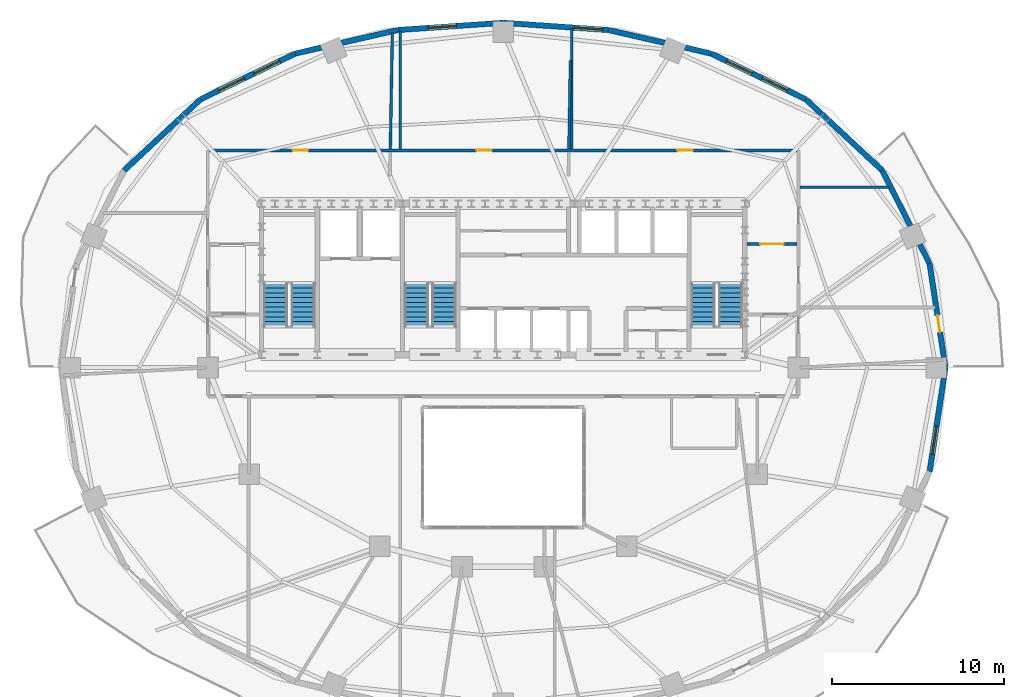
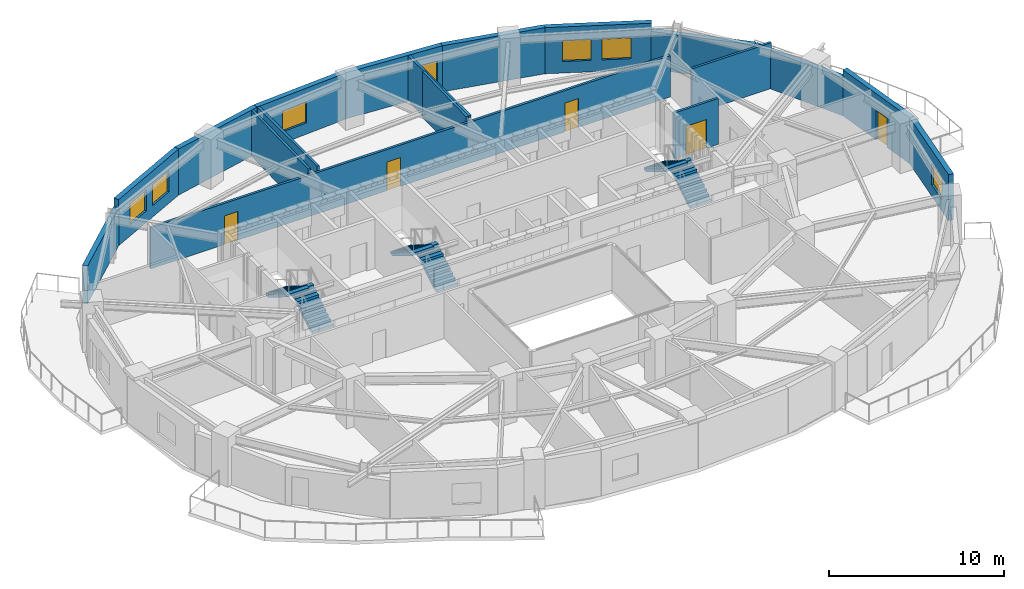
# One storey, part 8 of 11: 18 walls, 7 windows, 6 stair flights, 5 doors, 12 openings, 3 elements without a shape of their own.
"""IFC4 building model written with IfcOpenShell, lengths in metres."""

import ifcopenshell
import ifcopenshell.guid

model = None  # the IFC model being written
_history = None  # IfcOwnerHistory: only IFC2X3 demands one
_inside = {}  # id of a spatial element -> (the spatial element, [elements in it])
_under = {}  # id of a project, library or spatial element -> (it, [spatial elements below it])
_declared = {}  # id of a project -> (the project, [libraries it declares])
_typed = {}  # id of a type object -> (the type object, [elements of that type])
_made_of = {}  # id of a material, layer set ... -> (it, [elements and type objects made of it])


def new_model(schema):
    """Start an empty IFC model of exactly this schema.

    Asked for "IFC4X3", IfcOpenShell would pick the latest addendum, in which some entities
    have other attributes; the version numbers below select the first issue.
    IFC2X3 requires an IfcOwnerHistory on every rooted entity: one is made here for all.
    """
    global model, _history
    if schema == "IFC4X3":
        model = ifcopenshell.file(schema_version=(4, 3, 0, 0))
    else:
        model = ifcopenshell.file(schema=schema)
    _inside.clear()
    _under.clear()
    _declared.clear()
    _typed.clear()
    _made_of.clear()
    _history = None
    if model.schema == "IFC2X3":
        org = make("IfcOrganization", Name="unknown")
        user = make(
            "IfcPersonAndOrganization",
            ThePerson=make("IfcPerson", FamilyName="unknown"),
            TheOrganization=org,
        )
        app = make(
            "IfcApplication",
            ApplicationDeveloper=org,
            Version="unknown",
            ApplicationFullName="unknown",
            ApplicationIdentifier="unknown",
        )
        _history = make(
            "IfcOwnerHistory",
            OwningUser=user,
            OwningApplication=app,
            ChangeAction="ADDED",
            CreationDate=0,
        )
    return model


def make(cls, **values):
    """One entity of the class cls with the attributes given. An attribute that is None is left unset."""
    return model.create_entity(
        cls, **{name: value for name, value in values.items() if value is not None}
    )


def rooted(cls, **values):
    """An entity with a GlobalId (a new one), such as an element, a storey or a relation."""
    return make(cls, GlobalId=ifcopenshell.guid.new(), OwnerHistory=_history, **values)


def si_unit(unit_type, name, prefix=None):
    """IfcSIUnit, for example si_unit("LENGTHUNIT", "METRE", prefix="MILLI")."""
    return make("IfcSIUnit", UnitType=unit_type, Prefix=prefix, Name=name)


def assignment(units):
    """IfcUnitAssignment: the units of a project."""
    return None if units is None else make("IfcUnitAssignment", Units=units)


def point(xyz):
    """IfcCartesianPoint."""
    return None if xyz is None else make("IfcCartesianPoint", Coordinates=xyz)


def direction(xyz):
    """IfcDirection."""
    return None if xyz is None else make("IfcDirection", DirectionRatios=xyz)


def frame(location, z_axis=None, x_axis=None):
    """IfcAxis2Placement3D, a coordinate frame: its origin and axes. An axis left out is left unset."""
    return make(
        "IfcAxis2Placement3D",
        Location=point(location),
        Axis=direction(z_axis),
        RefDirection=direction(x_axis),
    )


def frame_2d(location, x_axis=None):
    """IfcAxis2Placement2D, a coordinate frame in the plane: its origin and x axis."""
    return make(
        "IfcAxis2Placement2D", Location=point(location), RefDirection=direction(x_axis)
    )


def origin():
    """The frame at (0, 0, 0) with its axes left unset."""
    return frame((0.0, 0.0, 0.0))


def place(relative_to, where):
    """IfcLocalPlacement: puts the frame where relative to a parent placement (None: the world)."""
    return make(
        "IfcLocalPlacement", PlacementRelTo=relative_to, RelativePlacement=where
    )


def context(
    kind, dimensions, precision=None, world=None, true_north=None, identifier=None
):
    """IfcGeometricRepresentationContext, for example the 3D "Model" context."""
    return make(
        "IfcGeometricRepresentationContext",
        ContextIdentifier=identifier,
        ContextType=kind,
        CoordinateSpaceDimension=dimensions,
        Precision=precision,
        WorldCoordinateSystem=world,
        TrueNorth=true_north,
    )


def subcontext(parent, identifier, kind, view, scale=None):
    """IfcGeometricRepresentationSubContext, for example "Body" below "Model"."""
    return make(
        "IfcGeometricRepresentationSubContext",
        ContextIdentifier=identifier,
        ContextType=kind,
        ParentContext=parent,
        TargetScale=scale,
        TargetView=view,
    )


def project(units=None, contexts=None):
    """IfcProject with its units and contexts."""
    return rooted(
        "IfcProject",
        Name="project",
        RepresentationContexts=contexts,
        UnitsInContext=assignment(units),
    )


def spatial(cls, under=None, at=None, **own):
    """A site, building, storey or space (cls), placed at a placement, below another one or the project."""
    s = rooted(cls, ObjectPlacement=at, **own)
    if under is not None:
        _under.setdefault(under.id(), (under, []))[1].append(s)
    return s


def polyline(points):
    """IfcPolyline through the points."""
    return make("IfcPolyline", Points=[point(p) for p in points])


def profile(cls, at=None, kind="AREA", **sizes):
    """A parametric profile (cls). Its sizes go by their IFC names, for example OverallWidth=200.0."""
    return make(cls, ProfileType=kind, Position=at, **sizes)


def rectangle(**sizes):
    """IfcRectangleProfileDef."""
    return profile("IfcRectangleProfileDef", **sizes)


def outline(outer, holes=None, kind="AREA"):
    """IfcArbitraryClosedProfileDef: a profile drawn as a closed curve; with holes, ...WithVoids."""
    if holes is None:
        return make("IfcArbitraryClosedProfileDef", ProfileType=kind, OuterCurve=outer)
    return make(
        "IfcArbitraryProfileDefWithVoids",
        ProfileType=kind,
        OuterCurve=outer,
        InnerCurves=holes,
    )


def extrude(swept, where, along, depth):
    """IfcExtrudedAreaSolid: the profile swept, set in the frame where, extruded along a direction by depth."""
    return make(
        "IfcExtrudedAreaSolid",
        SweptArea=swept,
        Position=where,
        ExtrudedDirection=direction(along),
        Depth=depth,
    )


def shape(context_of_items, identifier, shape_type, items):
    """IfcShapeRepresentation: the items that make up one representation, for example the "Body"."""
    return make(
        "IfcShapeRepresentation",
        ContextOfItems=context_of_items,
        RepresentationIdentifier=identifier,
        RepresentationType=shape_type,
        Items=items,
    )


def material(Name=None, Category=None):
    """IfcMaterial."""
    return make("IfcMaterial", Name=Name, Category=Category)


def layer(
    of_material, thickness, ventilated=None, Name=None, Category=None, Priority=None
):
    """IfcMaterialLayer: one layer of a wall or slab, of a material (None: an air gap)."""
    return make(
        "IfcMaterialLayer",
        Material=of_material,
        LayerThickness=thickness,
        IsVentilated=ventilated,
        Name=Name,
        Category=Category,
        Priority=Priority,
    )


def layer_set(layers, Name=None):
    """IfcMaterialLayerSet."""
    return make("IfcMaterialLayerSet", MaterialLayers=layers, LayerSetName=Name)


def made_of(thing, what):
    """Note that an element or type object is made of a material, layer set ...; save() writes the relation."""
    if what is not None:
        _made_of.setdefault(what.id(), (what, []))[1].append(thing)
    return thing


def type_object(cls, material=None, **own):
    """A type object (cls), such as IfcWallType, which elements share."""
    return made_of(rooted(cls, **own), material)


def element(
    cls,
    number,
    at=None,
    inside=None,
    cuts=None,
    type_object=None,
    material=None,
    context=None,
    identifier="Body",
    shape_type=None,
    held_by="IfcProductDefinitionShape",
    body=None,
    shapes=None,
    **own,
):
    """One element of the class cls, such as IfcWall. Its Tag is "e" and its number.

    at: its placement. inside: the storey or other place that contains it. cuts: it is an
    opening in that element (IfcRelVoidsElement). A single representation is given by context,
    identifier, shape_type and body (its items); several are given by shapes. held_by: the class
    of the entity that holds the representations. save() writes the other relations.
    """
    e = rooted(cls, Tag="e%d" % number, ObjectPlacement=at, **own)
    if body is not None:
        shapes = [shape(context, identifier, shape_type, body)]
    if shapes is not None:
        e.Representation = make(held_by, Representations=shapes)
    if inside is not None:
        _inside.setdefault(inside.id(), (inside, []))[1].append(e)
    if cuts is not None:
        rooted(
            "IfcRelVoidsElement", RelatingBuildingElement=cuts, RelatedOpeningElement=e
        )
    if type_object is not None:
        _typed.setdefault(type_object.id(), (type_object, []))[1].append(e)
    return made_of(e, material)


def fill(opening, filler):
    """IfcRelFillsElement: the door or window that sits in an opening."""
    return rooted(
        "IfcRelFillsElement",
        RelatingOpeningElement=opening,
        RelatedBuildingElement=filler,
    )


def aggregate(whole, parts):
    """IfcRelAggregates: a whole, such as a stair, and the parts it consists of."""
    return rooted("IfcRelAggregates", RelatingObject=whole, RelatedObjects=parts)


def save(model, path):
    """Write the relations noted so far, then the file.

    IfcRelAggregates (storeys below a building ...), IfcRelContainedInSpatialStructure (elements
    in a storey), IfcRelDefinesByType, IfcRelAssociatesMaterial and IfcRelDeclares: one each for
    every whole, place, type object, material and project.
    """
    for whole, parts in _under.values():
        aggregate(whole, parts)
    for where, things in _inside.values():
        rooted(
            "IfcRelContainedInSpatialStructure",
            RelatedElements=things,
            RelatingStructure=where,
        )
    for kind, things in _typed.values():
        rooted("IfcRelDefinesByType", RelatedObjects=things, RelatingType=kind)
    for what, things in _made_of.values():
        rooted("IfcRelAssociatesMaterial", RelatedObjects=things, RelatingMaterial=what)
    for by, libraries in _declared.values():
        rooted("IfcRelDeclares", RelatingContext=by, RelatedDefinitions=libraries)
    model.write(path)


model = new_model("IFC4")

# Units and contexts
model_context = context("Model", 3, precision=1e-05, world=origin(), true_north=direction((0.0, 1.0)))
body_context = subcontext(model_context, "Body", "Model", "MODEL_VIEW")
ifc_project = project(units=[si_unit("LENGTHUNIT", "METRE"), si_unit("AREAUNIT", "SQUARE_METRE"), si_unit("VOLUMEUNIT", "CUBIC_METRE"), si_unit("PLANEANGLEUNIT", "RADIAN"), si_unit("MASSUNIT", "GRAM", prefix="KILO")], contexts=[model_context])

# Site, building, storey
site_placement = place(None, origin())
site = spatial("IfcSite", under=ifc_project, at=site_placement, CompositionType="ELEMENT")
building_placement = place(site_placement, origin())
building = spatial("IfcBuilding", under=site, at=building_placement, Name="Haldorwick Loom Tower", CompositionType="ELEMENT")
storey_placement = place(building_placement, frame((0.0, 0.0, 171.699951171875)))
storey = spatial("IfcBuildingStorey", under=building, at=storey_placement, Name="L46", CompositionType="ELEMENT", Elevation=171.699951171875)

# Wall, opening, door
ifc_material_1 = material(Name="Pressed Clay Face Brick and Insulated Masonry Backup Assembly", Category="masonry")
ifc_layer_1 = layer(ifc_material_1, 0.320068359375, Name="Pressed Clay Face Brick and Insulated Masonry Backup Assembly", Category="masonry")
ifc_layer_set_1 = layer_set([ifc_layer_1], Name="Pressed Clay Face Brick and Insulated Masonry Backup Assembly")
wall_type_1 = type_object("IfcWallType", Name="ARC-WL-EXT320", PredefinedType="STANDARD", material=ifc_layer_set_1)
wall_1_placement = place(storey_placement, frame((61.757080078125, 26.0, 0.0), z_axis=(0.0, 0.0, 1.0), x_axis=(-0.150544467684, 0.988603238539, 0.0)))
wall_1 = element("IfcWall", 1, at=wall_1_placement, inside=storey, type_object=wall_type_1, Name="L46 Brick Pier and Spandrel Wall 1", PredefinedType="STANDARD", context=body_context, shape_type="SweptSolid", body=[
    extrude(rectangle(XDim=6.125244140625, YDim=0.320068359375, at=frame_2d((3.0625, 0.0))), origin(), (0.0, 0.0, 1.0), 3.2099609375),
])
opening_1_placement = place(wall_1_placement, frame((2.08203125, 0.0, 0.0)))
opening_1 = element("IfcOpeningElement", 2, at=opening_1_placement, cuts=wall_1, Name="Opening D-BL10", PredefinedType="OPENING", context=body_context, shape_type="SweptSolid", body=[
    extrude(rectangle(XDim=1.0, YDim=2.0400390625, at=frame_2d((0.5, 1.02001953125))), frame((0.0, 0.169921875, 0.0), z_axis=(0.0, -1.0, 0.0), x_axis=(1.0, 0.0, 0.0)), (0.0, 0.0, 1.0), 0.340087890625),
])
ifc_material_2 = material(Name="Thermally Broken Anodized Aluminium Curtain Wall Framing", Category="aluminium")
door_type_1 = type_object("IfcDoorType", Name="ARC-DR-BAL100", OperationType="NOTDEFINED", PredefinedType="DOOR", material=ifc_material_2)
door_1_placement = place(opening_1_placement, origin())
door_1 = element("IfcDoor", 3, at=door_1_placement, inside=storey, type_object=door_type_1, Name="L46 Outdoor Terrace Door SLB-L46-BAL_ENE", OperationType="SINGLE_SWING_RIGHT", OverallHeight=2.0400390625, OverallWidth=1.0, PredefinedType="DOOR", context=body_context, shape_type="SweptSolid", body=[
    extrude(rectangle(XDim=1.0, YDim=2.0400390625, at=frame_2d((0.5, 1.02001953125))), frame((0.0, 0.02490234375, 0.0), z_axis=(0.0, -1.0, 0.0), x_axis=(1.0, 0.0, 0.0)), (0.0, 0.0, 1.0), 0.050048828125),
])
fill(opening_1, door_1)

# Walls
wall_2_placement = place(storey_placement, frame((60.8349609375, 32.055419921875, 0.0), z_axis=(0.0, 0.0, 1.0), x_axis=(-0.453172129629, 0.89142303141, 0.0)))
element("IfcWall", 4, at=wall_2_placement, inside=storey, type_object=wall_type_1, Name="L46 Brick Pier and Spandrel Wall 2", PredefinedType="STANDARD", context=body_context, shape_type="SweptSolid", body=[
    extrude(rectangle(XDim=6.086669921875, YDim=0.320068359375, at=frame_2d((3.04345703125, 0.0))), origin(), (0.0, 0.0, 1.0), 2.64111328125),
])
wall_3_placement = place(storey_placement, frame((58.07666015625, 37.481201171875, 0.0), z_axis=(0.0, 0.0, 1.0), x_axis=(-0.732001571644, 0.681302942244, 0.0)))
element("IfcWall", 5, at=wall_3_placement, inside=storey, type_object=wall_type_1, Name="L46 Brick Pier and Spandrel Wall 3", PredefinedType="STANDARD", context=body_context, shape_type="SweptSolid", body=[
    extrude(rectangle(XDim=6.0869140625, YDim=0.320068359375, at=frame_2d((3.04345703125, 0.0))), origin(), (0.0, 0.0, 1.0), 2.64111328125),
])

# Wall, openings, windows
wall_4_placement = place(storey_placement, frame((53.62109375, 41.628173828125, 0.0), z_axis=(0.0, 0.0, 1.0), x_axis=(-0.900472429216, 0.43491309962, 0.0)))
wall_4 = element("IfcWall", 6, at=wall_4_placement, inside=storey, type_object=wall_type_1, Name="L46 Brick Pier and Spandrel Wall 4", PredefinedType="STANDARD", context=body_context, shape_type="SweptSolid", body=[
    extrude(rectangle(XDim=6.1181640625, YDim=0.320068359375, at=frame_2d((3.05908203125, 0.0))), origin(), (0.0, 0.0, 1.0), 3.2099609375),
])
opening_2_placement = place(wall_4_placement, frame((1.181884765625, 0.0, 0.800048828125)))
opening_2 = element("IfcOpeningElement", 7, at=opening_2_placement, cuts=wall_4, Name="Opening W-01B", PredefinedType="OPENING", context=body_context, shape_type="SweptSolid", body=[
    extrude(rectangle(XDim=1.64990234375, YDim=1.449951171875, at=frame_2d((0.824951171875, 0.72509765625))), frame((0.0, 0.169921875, 0.0), z_axis=(0.0, -1.0, 0.0), x_axis=(1.0, 0.0, 0.0)), (0.0, 0.0, 1.0), 0.340087890625),
])
opening_3_placement = place(wall_4_placement, frame((3.4580078125, 0.0, 0.800048828125)))
opening_3 = element("IfcOpeningElement", 8, at=opening_3_placement, cuts=wall_4, Name="Opening W-01B", PredefinedType="OPENING", context=body_context, shape_type="SweptSolid", body=[
    extrude(rectangle(XDim=1.64990234375, YDim=1.449951171875, at=frame_2d((0.824951171875, 0.72509765625))), frame((0.0, 0.169921875, 0.0), z_axis=(0.0, -1.0, 0.0), x_axis=(1.0, 0.0, 0.0)), (0.0, 0.0, 1.0), 0.340087890625),
])
ifc_material_3 = material(Name="Triple-Glazed Low-E Argon Insulated Glazing Unit", Category="glass")
window_type = type_object("IfcWindowType", Name="ARC-WIN-W165", PartitioningType="SINGLE_PANEL", PredefinedType="WINDOW", material=ifc_material_3)
window_1_placement = place(opening_2_placement, origin())
window_1 = element("IfcWindow", 9, at=window_1_placement, inside=storey, type_object=window_type, Name="L46 Deep-Set Zone 7A Window 4", OverallHeight=1.449951171875, OverallWidth=1.64990234375, PartitioningType="SINGLE_PANEL", PredefinedType="WINDOW", context=body_context, shape_type="SweptSolid", body=[
    extrude(rectangle(XDim=1.64990234375, YDim=1.449951171875, at=frame_2d((0.824951171875, 0.72509765625))), frame((0.0, 0.030029296875, 0.0), z_axis=(0.0, -1.0, 0.0), x_axis=(1.0, 0.0, 0.0)), (0.0, 0.0, 1.0), 0.06005859375),
])
fill(opening_2, window_1)
window_2_placement = place(opening_3_placement, origin())
window_2 = element("IfcWindow", 10, at=window_2_placement, inside=storey, type_object=window_type, Name="L46 Deep-Set Zone 7A Window 4", OverallHeight=1.449951171875, OverallWidth=1.64990234375, PartitioningType="SINGLE_PANEL", PredefinedType="WINDOW", context=body_context, shape_type="SweptSolid", body=[
    extrude(rectangle(XDim=1.64990234375, YDim=1.449951171875, at=frame_2d((0.824951171875, 0.72509765625))), frame((0.0, 0.030029296875, 0.0), z_axis=(0.0, -1.0, 0.0), x_axis=(1.0, 0.0, 0.0)), (0.0, 0.0, 1.0), 0.06005859375),
])
fill(opening_3, window_2)

# Wall
wall_5_placement = place(storey_placement, frame((48.11181640625, 44.2890625, 0.0), z_axis=(0.0, 0.0, 1.0), x_axis=(-0.974593223547, 0.223982250674, 0.0)))
element("IfcWall", 11, at=wall_5_placement, inside=storey, type_object=wall_type_1, Name="L46 Brick Pier and Spandrel Wall 5", PredefinedType="STANDARD", context=body_context, shape_type="SweptSolid", body=[
    extrude(rectangle(XDim=6.138916015625, YDim=0.320068359375, at=frame_2d((3.0693359375, 0.0))), origin(), (0.0, 0.0, 1.0), 3.2099609375),
])

# Wall, opening, window
wall_6_placement = place(storey_placement, frame((42.12890625, 45.6640625, 0.0), z_axis=(0.0, 0.0, 1.0), x_axis=(-0.997652942988, 0.068473391522, 0.0)))
wall_6 = element("IfcWall", 12, at=wall_6_placement, inside=storey, type_object=wall_type_1, Name="L46 Brick Pier and Spandrel Wall 6", PredefinedType="STANDARD", context=body_context, shape_type="SweptSolid", body=[
    extrude(rectangle(XDim=6.143310546875, YDim=0.320068359375, at=frame_2d((3.07177734375, 0.0))), origin(), (0.0, 0.0, 1.0), 3.2099609375),
])
opening_4_placement = place(wall_6_placement, frame((0.340087890625, 0.0, 0.800048828125)))
opening_4 = element("IfcOpeningElement", 13, at=opening_4_placement, cuts=wall_6, Name="Opening W-01B", PredefinedType="OPENING", context=body_context, shape_type="SweptSolid", body=[
    extrude(rectangle(XDim=1.64990234375, YDim=1.449951171875, at=frame_2d((0.824951171875, 0.72509765625))), frame((0.0, 0.169921875, 0.0), z_axis=(0.0, -1.0, 0.0), x_axis=(1.0, 0.0, 0.0)), (0.0, 0.0, 1.0), 0.340087890625),
])
window_3_placement = place(opening_4_placement, origin())
window_3 = element("IfcWindow", 14, at=window_3_placement, inside=storey, type_object=window_type, Name="L46 Deep-Set Zone 7A Window 6", OverallHeight=1.449951171875, OverallWidth=1.64990234375, PartitioningType="SINGLE_PANEL", PredefinedType="WINDOW", context=body_context, shape_type="SweptSolid", body=[
    extrude(rectangle(XDim=1.64990234375, YDim=1.449951171875, at=frame_2d((0.824951171875, 0.72509765625))), frame((0.0, 0.030029296875, 0.0), z_axis=(0.0, -1.0, 0.0), x_axis=(1.0, 0.0, 0.0)), (0.0, 0.0, 1.0), 0.06005859375),
])
fill(opening_4, window_3)

wall_7_placement = place(storey_placement, frame((36.0, 46.084716796875, 0.0), z_axis=(0.0, 0.0, 1.0), x_axis=(-0.997652942988, -0.068473391522, 0.0)))
wall_7 = element("IfcWall", 15, at=wall_7_placement, inside=storey, type_object=wall_type_1, Name="L46 Brick Pier and Spandrel Wall 7", PredefinedType="STANDARD", context=body_context, shape_type="SweptSolid", body=[
    extrude(rectangle(XDim=6.143310546875, YDim=0.320068359375, at=frame_2d((3.07177734375, 0.0))), origin(), (0.0, 0.0, 1.0), 3.2099609375),
])
opening_5_placement = place(wall_7_placement, frame((2.723388671875, 0.0, 0.800048828125)))
opening_5 = element("IfcOpeningElement", 16, at=opening_5_placement, cuts=wall_7, Name="Opening W-01B", PredefinedType="OPENING", context=body_context, shape_type="SweptSolid", body=[
    extrude(rectangle(XDim=1.64990234375, YDim=1.449951171875, at=frame_2d((0.824951171875, 0.72509765625))), frame((0.0, 0.169921875, 0.0), z_axis=(0.0, -1.0, 0.0), x_axis=(1.0, 0.0, 0.0)), (0.0, 0.0, 1.0), 0.340087890625),
])
window_4_placement = place(opening_5_placement, origin())
window_4 = element("IfcWindow", 17, at=window_4_placement, inside=storey, type_object=window_type, Name="L46 Deep-Set Zone 7A Window 7", OverallHeight=1.449951171875, OverallWidth=1.64990234375, PartitioningType="SINGLE_PANEL", PredefinedType="WINDOW", context=body_context, shape_type="SweptSolid", body=[
    extrude(rectangle(XDim=1.64990234375, YDim=1.449951171875, at=frame_2d((0.824951171875, 0.72509765625))), frame((0.0, 0.030029296875, 0.0), z_axis=(0.0, -1.0, 0.0), x_axis=(1.0, 0.0, 0.0)), (0.0, 0.0, 1.0), 0.06005859375),
])
fill(opening_5, window_4)

# Wall
wall_8_placement = place(storey_placement, frame((29.87109375, 45.6640625, 0.0), z_axis=(0.0, 0.0, 1.0), x_axis=(-0.974593223547, -0.223982250674, 0.0)))
element("IfcWall", 18, at=wall_8_placement, inside=storey, type_object=wall_type_1, Name="L46 Brick Pier and Spandrel Wall 8", PredefinedType="STANDARD", context=body_context, shape_type="SweptSolid", body=[
    extrude(rectangle(XDim=6.138916015625, YDim=0.320068359375, at=frame_2d((3.0693359375, 0.0))), origin(), (0.0, 0.0, 1.0), 3.2099609375),
])

# Wall, openings, windows
wall_9_placement = place(storey_placement, frame((23.88818359375, 44.2890625, 0.0), z_axis=(0.0, 0.0, 1.0), x_axis=(-0.900479976617, -0.434897472644, 0.0)))
wall_9 = element("IfcWall", 19, at=wall_9_placement, inside=storey, type_object=wall_type_1, Name="L46 Brick Pier and Spandrel Wall 9", PredefinedType="STANDARD", context=body_context, shape_type="SweptSolid", body=[
    extrude(rectangle(XDim=6.118408203125, YDim=0.320068359375, at=frame_2d((3.05908203125, 0.0))), origin(), (0.0, 0.0, 1.0), 3.2099609375),
])
opening_6_placement = place(wall_9_placement, frame((1.010498046875, 0.0, 0.800048828125)))
opening_6 = element("IfcOpeningElement", 20, at=opening_6_placement, cuts=wall_9, Name="Opening W-01B", PredefinedType="OPENING", context=body_context, shape_type="SweptSolid", body=[
    extrude(rectangle(XDim=1.64990234375, YDim=1.449951171875, at=frame_2d((0.824951171875, 0.72509765625))), frame((0.0, 0.169921875, 0.0), z_axis=(0.0, -1.0, 0.0), x_axis=(1.0, 0.0, 0.0)), (0.0, 0.0, 1.0), 0.340087890625),
])
opening_7_placement = place(wall_9_placement, frame((3.28662109375, 0.0, 0.800048828125)))
opening_7 = element("IfcOpeningElement", 21, at=opening_7_placement, cuts=wall_9, Name="Opening W-01B", PredefinedType="OPENING", context=body_context, shape_type="SweptSolid", body=[
    extrude(rectangle(XDim=1.64990234375, YDim=1.449951171875, at=frame_2d((0.824951171875, 0.72509765625))), frame((0.0, 0.169921875, 0.0), z_axis=(0.0, -1.0, 0.0), x_axis=(1.0, 0.0, 0.0)), (0.0, 0.0, 1.0), 0.340087890625),
])
window_5_placement = place(opening_6_placement, origin())
window_5 = element("IfcWindow", 22, at=window_5_placement, inside=storey, type_object=window_type, Name="L46 Deep-Set Zone 7A Window 9", OverallHeight=1.449951171875, OverallWidth=1.64990234375, PartitioningType="SINGLE_PANEL", PredefinedType="WINDOW", context=body_context, shape_type="SweptSolid", body=[
    extrude(rectangle(XDim=1.64990234375, YDim=1.449951171875, at=frame_2d((0.824951171875, 0.72509765625))), frame((0.0, 0.030029296875, 0.0), z_axis=(0.0, -1.0, 0.0), x_axis=(1.0, 0.0, 0.0)), (0.0, 0.0, 1.0), 0.06005859375),
])
fill(opening_6, window_5)
window_6_placement = place(opening_7_placement, origin())
window_6 = element("IfcWindow", 23, at=window_6_placement, inside=storey, type_object=window_type, Name="L46 Deep-Set Zone 7A Window 9", OverallHeight=1.449951171875, OverallWidth=1.64990234375, PartitioningType="SINGLE_PANEL", PredefinedType="WINDOW", context=body_context, shape_type="SweptSolid", body=[
    extrude(rectangle(XDim=1.64990234375, YDim=1.449951171875, at=frame_2d((0.824951171875, 0.72509765625))), frame((0.0, 0.030029296875, 0.0), z_axis=(0.0, -1.0, 0.0), x_axis=(1.0, 0.0, 0.0)), (0.0, 0.0, 1.0), 0.06005859375),
])
fill(opening_7, window_6)

# Wall
wall_10_placement = place(storey_placement, frame((18.378662109375, 41.628173828125, 0.0), z_axis=(0.0, 0.0, 1.0), x_axis=(-0.731982952968, -0.681322945866, 0.0)))
element("IfcWall", 24, at=wall_10_placement, inside=storey, type_object=wall_type_1, Name="L46 Brick Pier and Spandrel Wall 10", PredefinedType="STANDARD", context=body_context, shape_type="SweptSolid", body=[
    extrude(rectangle(XDim=6.086669921875, YDim=0.320068359375, at=frame_2d((3.04345703125, 0.0))), origin(), (0.0, 0.0, 1.0), 2.64111328125),
])

# Wall, opening, window
wall_11_placement = place(storey_placement, frame((60.8349609375, 19.944580078125, 0.0), z_axis=(0.0, 0.0, 1.0), x_axis=(0.150544467684, 0.988603238539, 0.0)))
wall_11 = element("IfcWall", 25, at=wall_11_placement, inside=storey, type_object=wall_type_1, Name="L46 Brick Pier and Spandrel Wall 24", PredefinedType="STANDARD", context=body_context, shape_type="SweptSolid", body=[
    extrude(rectangle(XDim=6.125244140625, YDim=0.320068359375, at=frame_2d((3.0625, 0.0))), origin(), (0.0, 0.0, 1.0), 3.2099609375),
])
opening_8_placement = place(wall_11_placement, frame((1.0126953125, 0.0, 0.800048828125)))
opening_8 = element("IfcOpeningElement", 26, at=opening_8_placement, cuts=wall_11, Name="Opening W-01B", PredefinedType="OPENING", context=body_context, shape_type="SweptSolid", body=[
    extrude(rectangle(XDim=1.64990234375, YDim=1.449951171875, at=frame_2d((0.824951171875, 0.72509765625))), frame((0.0, 0.169921875, 0.0), z_axis=(0.0, -1.0, 0.0), x_axis=(1.0, 0.0, 0.0)), (0.0, 0.0, 1.0), 0.340087890625),
])
window_7_placement = place(opening_8_placement, origin())
window_7 = element("IfcWindow", 27, at=window_7_placement, inside=storey, type_object=window_type, Name="L46 Deep-Set Zone 7A Window 24", OverallHeight=1.449951171875, OverallWidth=1.64990234375, PartitioningType="SINGLE_PANEL", PredefinedType="WINDOW", context=body_context, shape_type="SweptSolid", body=[
    extrude(rectangle(XDim=1.64990234375, YDim=1.449951171875, at=frame_2d((0.824951171875, 0.72509765625))), frame((0.0, 0.030029296875, 0.0), z_axis=(0.0, -1.0, 0.0), x_axis=(1.0, 0.0, 0.0)), (0.0, 0.0, 1.0), 0.06005859375),
])
fill(opening_8, window_7)

# Wall, opening, door
ifc_material_4 = material(Name="Fire-Rated Type X Gypsum Stud Assembly EI 60")
ifc_layer_2 = layer(ifc_material_4, 0.159912109375, Name="Fire-Rated Type X Gypsum Stud Assembly EI 60")
ifc_layer_set_2 = layer_set([ifc_layer_2], Name="Fire-Rated Type X Gypsum Stud Assembly EI 60")
wall_type_2 = type_object("IfcWallType", Name="ARC-WL-FIRE160", PredefinedType="PARTITIONING", material=ifc_layer_set_2)
wall_12_placement = place(storey_placement, frame((50.193115234375, 33.199951171875, 0.0), z_axis=(0.0, 0.0, 1.0), x_axis=(1.0, 0.0, 0.0)))
wall_12 = element("IfcWall", 28, at=wall_12_placement, inside=storey, type_object=wall_type_2, Name="L46 Residential Fire Partition L46-CR-ENJ", PredefinedType="PARTITIONING", context=body_context, shape_type="SweptSolid", body=[
    extrude(rectangle(XDim=2.923828125, YDim=0.159912109375, at=frame_2d((1.4619140625, 0.0))), origin(), (0.0, 0.0, 1.0), 3.195068359375),
])
opening_9_placement = place(wall_12_placement, frame((0.787109375, 0.0, 0.0)))
opening_9 = element("IfcOpeningElement", 29, at=opening_9_placement, cuts=wall_12, Name="Opening D-CR15", PredefinedType="OPENING", context=body_context, shape_type="SweptSolid", body=[
    extrude(rectangle(XDim=1.35009765625, YDim=2.0, at=frame_2d((0.675048828125, 1.0))), frame((0.0, 0.08984375, 0.0), z_axis=(0.0, -1.0, 0.0), x_axis=(1.0, 0.0, 0.0)), (0.0, 0.0, 1.0), 0.179931640625),
])
ifc_material_5 = material(Name="Thermally Broken Anodized Aluminium and Tempered Glass", Category="aluminium")
door_type_2 = type_object("IfcDoorType", Name="ARC-DR-COR150", OperationType="NOTDEFINED", PredefinedType="DOOR", material=ifc_material_5)
door_2_placement = place(opening_9_placement, origin())
door_2 = element("IfcDoor", 30, at=door_2_placement, inside=storey, type_object=door_type_2, Name="L46 L46 North Residential Corridor to L46 East Residential Corridor Door", OperationType="DOUBLE_DOOR_SINGLE_SWING", OverallHeight=2.0, OverallWidth=1.35009765625, PredefinedType="DOOR", context=body_context, shape_type="SweptSolid", body=[
    extrude(rectangle(XDim=1.35009765625, YDim=2.0, at=frame_2d((0.675048828125, 1.0))), frame((0.0, 0.02490234375, 0.0), z_axis=(0.0, -1.0, 0.0), x_axis=(1.0, 0.0, 0.0)), (0.0, 0.0, 1.0), 0.050048828125),
])
fill(opening_9, door_2)

# Wall, openings, doors
wall_13_placement = place(storey_placement, frame((18.883056640625, 38.64990234375, 0.0), z_axis=(0.0, 0.0, 1.0), x_axis=(1.0, 0.0, 0.0)))
wall_13 = element("IfcWall", 31, at=wall_13_placement, inside=storey, type_object=wall_type_2, Name="L46 Residential Fire Partition L46-CR-N0", PredefinedType="PARTITIONING", context=body_context, shape_type="SweptSolid", body=[
    extrude(rectangle(XDim=34.23388671875, YDim=0.159912109375, at=frame_2d((17.116943359375, 0.0))), origin(), (0.0, 0.0, 1.0), 2.8720703125),
])
opening_10_placement = place(wall_13_placement, frame((27.2685546875, 0.0, 0.0)))
opening_10 = element("IfcOpeningElement", 32, at=opening_10_placement, cuts=wall_13, Name="Opening D-FD60A", PredefinedType="OPENING", context=body_context, shape_type="SweptSolid", body=[
    extrude(rectangle(XDim=0.89990234375, YDim=2.0, at=frame_2d((0.449951171875, 1.0))), frame((0.0, 0.08984375, 0.0), z_axis=(0.0, -1.0, 0.0), x_axis=(1.0, 0.0, 0.0)), (0.0, 0.0, 1.0), 0.179931640625),
])
opening_11_placement = place(wall_13_placement, frame((4.8505859375, 0.0, 0.0)))
opening_11 = element("IfcOpeningElement", 33, at=opening_11_placement, cuts=wall_13, Name="Opening D-FD60A", PredefinedType="OPENING", context=body_context, shape_type="SweptSolid", body=[
    extrude(rectangle(XDim=0.89990234375, YDim=2.0, at=frame_2d((0.449951171875, 1.0))), frame((0.0, 0.08984375, 0.0), z_axis=(0.0, -1.0, 0.0), x_axis=(1.0, 0.0, 0.0)), (0.0, 0.0, 1.0), 0.179931640625),
])
opening_12_placement = place(wall_13_placement, frame((15.562744140625, 0.0, 0.0)))
opening_12 = element("IfcOpeningElement", 34, at=opening_12_placement, cuts=wall_13, Name="Opening D-FD60A", PredefinedType="OPENING", context=body_context, shape_type="SweptSolid", body=[
    extrude(rectangle(XDim=0.89990234375, YDim=2.0, at=frame_2d((0.449951171875, 1.0))), frame((0.0, 0.08984375, 0.0), z_axis=(0.0, -1.0, 0.0), x_axis=(1.0, 0.0, 0.0)), (0.0, 0.0, 1.0), 0.179931640625),
])
ifc_material_6 = material(Name="Hollow Steel Fire Door Assembly", Category="steel")
door_type_3 = type_object("IfcDoorType", Name="ARC-DR-FD60-90", OperationType="NOTDEFINED", PredefinedType="DOOR", material=ifc_material_6)
door_3_placement = place(opening_10_placement, frame((0.89990234375, 0.0, 0.0), z_axis=(0.0, 0.0, 1.0), x_axis=(-1.0, 0.0, 0.0)))
door_3 = element("IfcDoor", 35, at=door_3_placement, inside=storey, type_object=door_type_3, Name="L46 Tenant Seminar Meeting Room 3 to L46 North Residential Corridor Door", OperationType="SINGLE_SWING_RIGHT", OverallHeight=2.0, OverallWidth=0.89990234375, PredefinedType="DOOR", context=body_context, shape_type="SweptSolid", body=[
    extrude(rectangle(XDim=0.89990234375, YDim=2.0, at=frame_2d((0.449951171875, 1.0))), frame((0.0, 0.02490234375, 0.0), z_axis=(0.0, -1.0, 0.0), x_axis=(1.0, 0.0, 0.0)), (0.0, 0.0, 1.0), 0.050048828125),
])
fill(opening_10, door_3)
door_4_placement = place(opening_11_placement, frame((0.89990234375, 0.0, 0.0), z_axis=(0.0, 0.0, 1.0), x_axis=(-1.0, 0.0, 0.0)))
door_4 = element("IfcDoor", 36, at=door_4_placement, inside=storey, type_object=door_type_3, Name="L46 Tenant Seminar Meeting Room 2 to L46 North Residential Corridor Door", OperationType="SINGLE_SWING_LEFT", OverallHeight=2.0, OverallWidth=0.89990234375, PredefinedType="DOOR", context=body_context, shape_type="SweptSolid", body=[
    extrude(rectangle(XDim=0.89990234375, YDim=2.0, at=frame_2d((0.449951171875, 1.0))), frame((0.0, 0.02490234375, 0.0), z_axis=(0.0, -1.0, 0.0), x_axis=(1.0, 0.0, 0.0)), (0.0, 0.0, 1.0), 0.050048828125),
])
fill(opening_11, door_4)
door_5_placement = place(opening_12_placement, frame((0.89990234375, 0.0, 0.0), z_axis=(0.0, 0.0, 1.0), x_axis=(-1.0, 0.0, 0.0)))
door_5 = element("IfcDoor", 37, at=door_5_placement, inside=storey, type_object=door_type_3, Name="L46 Tenant Seminar Meeting Room 4 to L46 North Residential Corridor Door", OperationType="SINGLE_SWING_RIGHT", OverallHeight=2.0, OverallWidth=0.89990234375, PredefinedType="DOOR", context=body_context, shape_type="SweptSolid", body=[
    extrude(rectangle(XDim=0.89990234375, YDim=2.0, at=frame_2d((0.449951171875, 1.0))), frame((0.0, 0.02490234375, 0.0), z_axis=(0.0, -1.0, 0.0), x_axis=(1.0, 0.0, 0.0)), (0.0, 0.0, 1.0), 0.050048828125),
])
fill(opening_12, door_5)

# Walls
wall_14_placement = place(storey_placement, frame((30.0, 38.73291015625, 0.0), z_axis=(0.0, 0.0, 1.0), x_axis=(0.0, 1.0, 0.0)))
element("IfcWall", 38, at=wall_14_placement, inside=storey, type_object=wall_type_2, Name="L46 Residential Fire Partition L46-NBP-0", PredefinedType="PARTITIONING", context=body_context, shape_type="SweptSolid", body=[
    extrude(rectangle(XDim=6.874755859375, YDim=0.159912109375, at=frame_2d((3.4375, 0.0))), origin(), (0.0, 0.0, 1.0), 3.195068359375),
])
wall_15_placement = place(storey_placement, frame((40.0, 38.73291015625, 0.0), z_axis=(0.0, 0.0, 1.0), x_axis=(0.0, 1.0, 0.0)))
element("IfcWall", 39, at=wall_15_placement, inside=storey, type_object=wall_type_2, Name="L46 Residential Fire Partition L46-NBP-1", PredefinedType="PARTITIONING", context=body_context, shape_type="SweptSolid", body=[
    extrude(rectangle(XDim=7.011962890625, YDim=0.159912109375, at=frame_2d((3.505859375, 0.0))), origin(), (0.0, 0.0, 1.0), 3.195068359375),
])
wall_16_placement = place(storey_placement, frame((29.427490234375, 38.73291015625, 0.0), z_axis=(0.0, 0.0, 1.0), x_axis=(0.017401176434, 0.999848588067, 0.0)))
element("IfcWall", 40, at=wall_16_placement, inside=storey, type_object=wall_type_2, Name="L46 Residential Fire Partition L46-UPN-12", PredefinedType="PARTITIONING", context=body_context, shape_type="SweptSolid", body=[
    extrude(rectangle(XDim=6.79052734375, YDim=0.159912109375, at=frame_2d((3.395263671875, 0.0))), origin(), (0.0, 0.0, 1.0), 3.195068359375),
])
wall_17_placement = place(storey_placement, frame((39.827392578125, 38.73291015625, 0.0), z_axis=(0.0, 0.0, 1.0), x_axis=(0.017408054836, 0.999848468332, 0.0)))
element("IfcWall", 41, at=wall_17_placement, inside=storey, type_object=wall_type_2, Name="L46 Residential Fire Partition L46-UPN-13", PredefinedType="PARTITIONING", context=body_context, shape_type="SweptSolid", body=[
    extrude(rectangle(XDim=5.14697265625, YDim=0.159912109375, at=frame_2d((2.573486328125, 0.0))), origin(), (0.0, 0.0, 1.0), 3.195068359375),
])
wall_18_placement = place(storey_placement, frame((53.282958984375, 36.5, 0.0), z_axis=(0.0, 0.0, 1.0), x_axis=(1.0, 0.0, 0.0)))
element("IfcWall", 42, at=wall_18_placement, inside=storey, type_object=wall_type_2, Name="L46 Residential Fire Partition L46-FLE-17", PredefinedType="PARTITIONING", context=body_context, shape_type="SweptSolid", body=[
    extrude(rectangle(XDim=5.219482421875, YDim=0.159912109375, at=frame_2d((2.60986328125, 0.0))), origin(), (0.0, 0.0, 1.0), 3.195068359375),
])

# Stair, stair flights
ifc_material_7 = material(Name="Concrete C40 (40 MPa)", Category="concrete")
stair_type = type_object("IfcStairType", Name="STR-STR-CORE", PredefinedType="HALF_TURN_STAIR", material=ifc_material_7)
stair_1_placement = place(storey_placement, origin())
stair_1 = element("IfcStair", 43, at=stair_1_placement, inside=storey, type_object=stair_type, Name="L46 Exit Stair ST-01", PredefinedType="HALF_TURN_STAIR")
stair_flight_type = type_object("IfcStairFlightType", Name="STR-STF-1250", PredefinedType="STRAIGHT", material=ifc_material_7)
stair_flight_1_placement = place(storey_placement, frame((24.35009765625, 28.39990234375, 0.0), z_axis=(0.0, 0.0, 1.0), x_axis=(0.0, 1.0, 0.0)))
stair_flight_1 = element("IfcStairFlight", 44, at=stair_flight_1_placement, type_object=stair_flight_type, Name="ST-01 flight 1", NumberOfRisers=10, NumberOfTreads=9, PredefinedType="STRAIGHT", RiserHeight=0.1725, TreadLength=0.28, context=body_context, shape_type="SweptSolid", body=[
    extrude(outline(polyline([(0.0, 0.0), (0.0, 0.172607421875), (0.280029296875, 0.172607421875), (0.280029296875, 0.344970703125), (0.56005859375, 0.344970703125), (0.56005859375, 0.517578125), (0.840087890625, 0.517578125), (0.840087890625, 0.68994140625), (1.1201171875, 0.68994140625), (1.1201171875, 0.862548828125), (1.39990234375, 0.862548828125), (1.39990234375, 1.034912109375), (1.679931640625, 1.034912109375), (1.679931640625, 1.20751953125), (1.9599609375, 1.20751953125), (1.9599609375, 1.3798828125), (2.239990234375, 1.3798828125), (2.239990234375, 1.552490234375), (2.52001953125, 1.552490234375), (2.52001953125, 1.72509765625), (2.52001953125, 1.37646484375), (0.285888671875, 0.0), (0.0, 0.0)])), frame((0.0, 0.699951171875, 0.0), z_axis=(0.0, -1.0, 0.0), x_axis=(1.0, 0.0, 0.0)), (0.0, 0.0, 1.0), 1.39990234375),
])
stair_flight_2_placement = place(storey_placement, frame((22.75, 30.919921875, 1.72509765625), z_axis=(0.0, 0.0, 1.0), x_axis=(0.0, -1.0, 0.0)))
stair_flight_2 = element("IfcStairFlight", 45, at=stair_flight_2_placement, type_object=stair_flight_type, Name="ST-01 flight 2", NumberOfRisers=10, NumberOfTreads=9, PredefinedType="STRAIGHT", RiserHeight=0.1725, TreadLength=0.28, context=body_context, shape_type="SweptSolid", body=[
    extrude(outline(polyline([(0.0, 0.0), (0.0, 0.172607421875), (0.280029296875, 0.172607421875), (0.280029296875, 0.344970703125), (0.56005859375, 0.344970703125), (0.56005859375, 0.517578125), (0.840087890625, 0.517578125), (0.840087890625, 0.68994140625), (1.1201171875, 0.68994140625), (1.1201171875, 0.862548828125), (1.39990234375, 0.862548828125), (1.39990234375, 1.034912109375), (1.679931640625, 1.034912109375), (1.679931640625, 1.20751953125), (1.9599609375, 1.20751953125), (1.9599609375, 1.3798828125), (2.239990234375, 1.3798828125), (2.239990234375, 1.552490234375), (2.52001953125, 1.552490234375), (2.52001953125, 1.72509765625), (2.52001953125, 1.37646484375), (0.285888671875, 0.0), (0.0, 0.0)])), frame((0.0, 0.699951171875, 0.0), z_axis=(0.0, -1.0, 0.0), x_axis=(1.0, 0.0, 0.0)), (0.0, 0.0, 1.0), 1.39990234375),
])
aggregate(stair_1, [stair_flight_1, stair_flight_2])

stair_2_placement = place(storey_placement, origin())
stair_2 = element("IfcStair", 46, at=stair_2_placement, inside=storey, type_object=stair_type, Name="L46 Exit Stair ST-02", PredefinedType="HALF_TURN_STAIR")
stair_flight_3_placement = place(storey_placement, frame((49.25, 28.39990234375, 0.0), z_axis=(0.0, 0.0, 1.0), x_axis=(0.0, 1.0, 0.0)))
stair_flight_3 = element("IfcStairFlight", 47, at=stair_flight_3_placement, type_object=stair_flight_type, Name="ST-02 flight 1", NumberOfRisers=10, NumberOfTreads=9, PredefinedType="STRAIGHT", RiserHeight=0.1725, TreadLength=0.28, context=body_context, shape_type="SweptSolid", body=[
    extrude(outline(polyline([(0.0, 0.0), (0.0, 0.172607421875), (0.280029296875, 0.172607421875), (0.280029296875, 0.344970703125), (0.56005859375, 0.344970703125), (0.56005859375, 0.517578125), (0.840087890625, 0.517578125), (0.840087890625, 0.68994140625), (1.1201171875, 0.68994140625), (1.1201171875, 0.862548828125), (1.39990234375, 0.862548828125), (1.39990234375, 1.034912109375), (1.679931640625, 1.034912109375), (1.679931640625, 1.20751953125), (1.9599609375, 1.20751953125), (1.9599609375, 1.3798828125), (2.239990234375, 1.3798828125), (2.239990234375, 1.552490234375), (2.52001953125, 1.552490234375), (2.52001953125, 1.72509765625), (2.52001953125, 1.37646484375), (0.285888671875, 0.0), (0.0, 0.0)])), frame((0.0, 0.699951171875, 0.0), z_axis=(0.0, -1.0, 0.0), x_axis=(1.0, 0.0, 0.0)), (0.0, 0.0, 1.0), 1.39990234375),
])
stair_flight_4_placement = place(storey_placement, frame((47.64990234375, 30.919921875, 1.72509765625), z_axis=(0.0, 0.0, 1.0), x_axis=(0.0, -1.0, 0.0)))
stair_flight_4 = element("IfcStairFlight", 48, at=stair_flight_4_placement, type_object=stair_flight_type, Name="ST-02 flight 2", NumberOfRisers=10, NumberOfTreads=9, PredefinedType="STRAIGHT", RiserHeight=0.1725, TreadLength=0.28, context=body_context, shape_type="SweptSolid", body=[
    extrude(outline(polyline([(0.0, 0.0), (0.0, 0.172607421875), (0.280029296875, 0.172607421875), (0.280029296875, 0.344970703125), (0.56005859375, 0.344970703125), (0.56005859375, 0.517578125), (0.840087890625, 0.517578125), (0.840087890625, 0.68994140625), (1.1201171875, 0.68994140625), (1.1201171875, 0.862548828125), (1.39990234375, 0.862548828125), (1.39990234375, 1.034912109375), (1.679931640625, 1.034912109375), (1.679931640625, 1.20751953125), (1.9599609375, 1.20751953125), (1.9599609375, 1.3798828125), (2.239990234375, 1.3798828125), (2.239990234375, 1.552490234375), (2.52001953125, 1.552490234375), (2.52001953125, 1.72509765625), (2.52001953125, 1.37646484375), (0.285888671875, 0.0), (0.0, 0.0)])), frame((0.0, 0.699951171875, 0.0), z_axis=(0.0, -1.0, 0.0), x_axis=(1.0, 0.0, 0.0)), (0.0, 0.0, 1.0), 1.39990234375),
])
aggregate(stair_2, [stair_flight_3, stair_flight_4])

stair_3_placement = place(storey_placement, origin())
stair_3 = element("IfcStair", 49, at=stair_3_placement, inside=storey, type_object=stair_type, Name="L46 Exit Stair ST-03", PredefinedType="HALF_TURN_STAIR")
stair_flight_5_placement = place(storey_placement, frame((32.550048828125, 28.39990234375, 0.0), z_axis=(0.0, 0.0, 1.0), x_axis=(0.0, 1.0, 0.0)))
stair_flight_5 = element("IfcStairFlight", 50, at=stair_flight_5_placement, type_object=stair_flight_type, Name="ST-03 flight 1", NumberOfRisers=10, NumberOfTreads=9, PredefinedType="STRAIGHT", RiserHeight=0.1725, TreadLength=0.28, context=body_context, shape_type="SweptSolid", body=[
    extrude(outline(polyline([(0.0, 0.0), (0.0, 0.172607421875), (0.280029296875, 0.172607421875), (0.280029296875, 0.344970703125), (0.56005859375, 0.344970703125), (0.56005859375, 0.517578125), (0.840087890625, 0.517578125), (0.840087890625, 0.68994140625), (1.1201171875, 0.68994140625), (1.1201171875, 0.862548828125), (1.39990234375, 0.862548828125), (1.39990234375, 1.034912109375), (1.679931640625, 1.034912109375), (1.679931640625, 1.20751953125), (1.9599609375, 1.20751953125), (1.9599609375, 1.3798828125), (2.239990234375, 1.3798828125), (2.239990234375, 1.552490234375), (2.52001953125, 1.552490234375), (2.52001953125, 1.72509765625), (2.52001953125, 1.37646484375), (0.285888671875, 0.0), (0.0, 0.0)])), frame((0.0, 0.699951171875, 0.0), z_axis=(0.0, -1.0, 0.0), x_axis=(1.0, 0.0, 0.0)), (0.0, 0.0, 1.0), 1.39990234375),
])
stair_flight_6_placement = place(storey_placement, frame((30.949951171875, 30.919921875, 1.72509765625), z_axis=(0.0, 0.0, 1.0), x_axis=(0.0, -1.0, 0.0)))
stair_flight_6 = element("IfcStairFlight", 51, at=stair_flight_6_placement, type_object=stair_flight_type, Name="ST-03 flight 2", NumberOfRisers=10, NumberOfTreads=9, PredefinedType="STRAIGHT", RiserHeight=0.1725, TreadLength=0.28, context=body_context, shape_type="SweptSolid", body=[
    extrude(outline(polyline([(0.0, 0.0), (0.0, 0.172607421875), (0.280029296875, 0.172607421875), (0.280029296875, 0.344970703125), (0.56005859375, 0.344970703125), (0.56005859375, 0.517578125), (0.840087890625, 0.517578125), (0.840087890625, 0.68994140625), (1.1201171875, 0.68994140625), (1.1201171875, 0.862548828125), (1.39990234375, 0.862548828125), (1.39990234375, 1.034912109375), (1.679931640625, 1.034912109375), (1.679931640625, 1.20751953125), (1.9599609375, 1.20751953125), (1.9599609375, 1.3798828125), (2.239990234375, 1.3798828125), (2.239990234375, 1.552490234375), (2.52001953125, 1.552490234375), (2.52001953125, 1.72509765625), (2.52001953125, 1.37646484375), (0.285888671875, 0.0), (0.0, 0.0)])), frame((0.0, 0.699951171875, 0.0), z_axis=(0.0, -1.0, 0.0), x_axis=(1.0, 0.0, 0.0)), (0.0, 0.0, 1.0), 1.39990234375),
])
aggregate(stair_3, [stair_flight_5, stair_flight_6])

save(model, "model.ifc")
